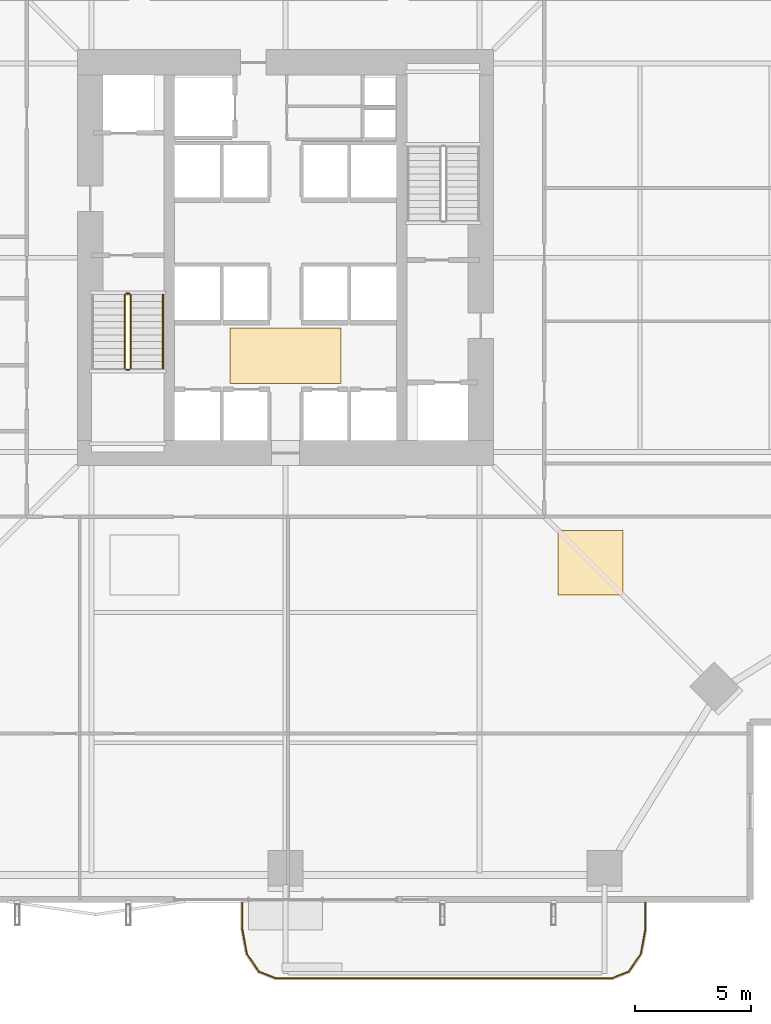
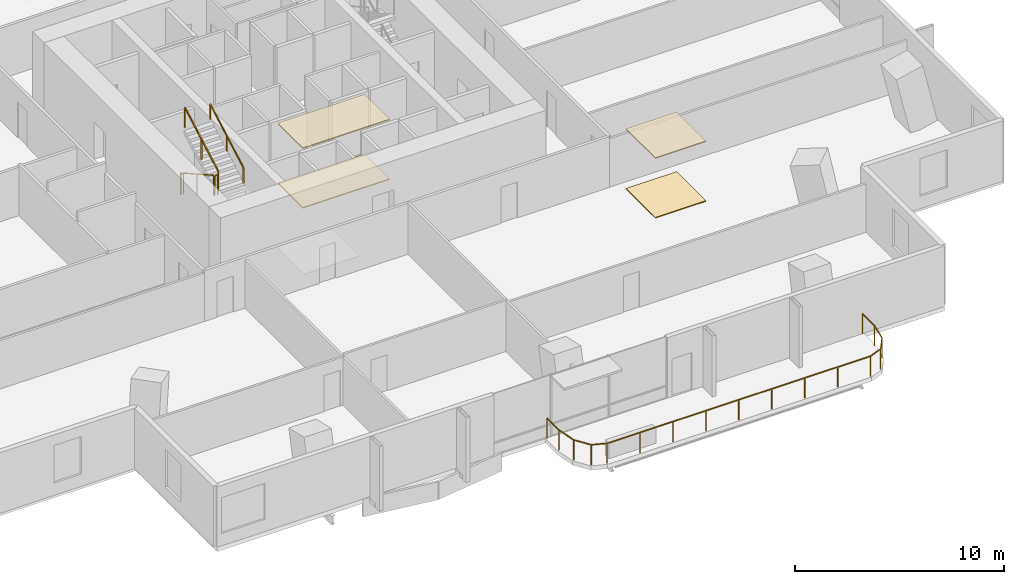
# One storey, part 22 of 24: 6 railings, 4 coverings.
"""IFC4 building model written with IfcOpenShell, lengths in metres."""

from ifc_helpers import new_model, si_unit, direction, frame, origin, origin_2d, place, context, subcontext, project, spatial, polyline, rectangle, outline, extrude, material, layer, layer_set, type_object, element, save


model = new_model("IFC4")

# Units and contexts
model_context = context("Model", 3, precision=1e-05, world=origin(), true_north=direction((0.0, 1.0)))
body_context = subcontext(model_context, "Body", "Model", "MODEL_VIEW")
ifc_project = project(units=[si_unit("LENGTHUNIT", "METRE"), si_unit("AREAUNIT", "SQUARE_METRE"), si_unit("VOLUMEUNIT", "CUBIC_METRE"), si_unit("PLANEANGLEUNIT", "RADIAN"), si_unit("MASSUNIT", "GRAM", prefix="KILO")], contexts=[model_context])

# Site, building, storey
site_placement = place(None, origin())
site = spatial("IfcSite", under=ifc_project, at=site_placement, CompositionType="ELEMENT")
building_placement = place(site_placement, origin())
building = spatial("IfcBuilding", under=site, at=building_placement, Name="Belovzor Exchange Tower", CompositionType="ELEMENT")
storey_placement = place(building_placement, frame((0.0, 0.0, 104.10009765625)))
storey = spatial("IfcBuildingStorey", under=building, at=storey_placement, Name="L25", CompositionType="ELEMENT", Elevation=104.10009765625)

# Railings
ifc_material_1 = material(Name="Stainless Steel Grade 304", Category="steel")
railing_type_1 = type_object("IfcRailingType", Name="Brushed Stainless Steel Stair Handrail 900", PredefinedType="HANDRAIL", material=ifc_material_1)
railing_1_placement = place(storey_placement, frame((23.5, 24.010009765625, 2.1123046875)))
element("IfcRailing", 1, at=railing_1_placement, inside=storey, type_object=railing_type_1, Name="L25 ST-1 stair handrail 2", PredefinedType="HANDRAIL", context=body_context, shape_type="SweptSolid", body=[
    extrude(rectangle(XDim=0.048095703125, YDim=0.048095703125, at=origin_2d()), frame((0.0, 0.0, 0.8759765625), z_axis=(0.0, 0.8723625253, 0.488859514025), x_axis=(-1.0, 0.0, 0.0)), (0.0, 0.0, 1.0), 3.65673828125),
    extrude(rectangle(XDim=0.0419921875, YDim=0.0419921875, at=origin_2d()), origin(), (0.0, 0.0, 1.0), 0.851806640625),
    extrude(rectangle(XDim=0.0419921875, YDim=0.0419921875, at=origin_2d()), frame((0.0, 1.594970703125, 0.893798828125)), (0.0, 0.0, 1.0), 0.851806640625),
    extrude(rectangle(XDim=0.0419921875, YDim=0.0419921875, at=origin_2d()), frame((0.0, 3.18994140625, 1.78759765625)), (0.0, 0.0, 1.0), 0.851806640625),
])
ifc_material_2 = material(Name="Stainless Steel and Laminated Safety Glass", Category="steel")
railing_type_2 = type_object("IfcRailingType", Name="Laminated Glass & Stainless Steel Balcony Balustrade 1200", PredefinedType="BALUSTRADE", material=ifc_material_2)
railing_2_placement = place(storey_placement, frame((26.929931640625, 0.889892578125, 0.0)))
element("IfcRailing", 2, at=railing_2_placement, inside=storey, type_object=railing_type_2, Name="GR-1 Balcony Balustrade L25 South", PredefinedType="BALUSTRADE", context=body_context, shape_type="SweptSolid", body=[
    extrude(rectangle(XDim=0.048095703125, YDim=0.048095703125, at=origin_2d()), frame((0.0, 0.0, 1.17578125), z_axis=(0.0, -1.0, 0.0), x_axis=(1.0, 0.0, 0.0)), (0.0, 0.0, 1.0), 1.1328125),
    extrude(rectangle(XDim=0.048095703125, YDim=0.048095703125, at=origin_2d()), frame((0.0, -1.1328125, 1.17578125), z_axis=(0.180083182347, -0.983651385113, 0.0), x_axis=(0.983651385113, 0.180083182347, 0.0)), (0.0, 0.0, 1.0), 1.093994140625),
    extrude(rectangle(XDim=0.048095703125, YDim=0.048095703125, at=origin_2d()), frame((0.197021484375, -2.208984375, 1.17578125), z_axis=(0.56294695933, -0.826493025367, 0.0), x_axis=(0.826493025367, 0.56294695933, 0.0)), (0.0, 0.0, 1.0), 0.932861328125),
    extrude(rectangle(XDim=0.048095703125, YDim=0.048095703125, at=origin_2d()), frame((0.72216796875, -2.97998046875, 1.17578125), z_axis=(0.930766990125, -0.365612923861, 0.0), x_axis=(0.365612923861, 0.930766990125, 0.0)), (0.0, 0.0, 1.0), 0.765869140625),
    extrude(rectangle(XDim=0.048095703125, YDim=0.048095703125, at=origin_2d()), frame((1.43505859375, -3.260009765625, 1.17578125), z_axis=(1.0, 0.0, 0.0), x_axis=(0.0, 1.0, 0.0)), (0.0, 0.0, 1.0), 14.570068359375),
    extrude(rectangle(XDim=0.048095703125, YDim=0.048095703125, at=origin_2d()), frame((16.005126953125, -3.260009765625, 1.17578125), z_axis=(0.930766990125, 0.365612923861, 0.0), x_axis=(-0.365612923861, 0.930766990125, 0.0)), (0.0, 0.0, 1.0), 0.765869140625),
    extrude(rectangle(XDim=0.048095703125, YDim=0.048095703125, at=origin_2d()), frame((16.718017578125, -2.97998046875, 1.17578125), z_axis=(0.56294695933, 0.826493025367, 0.0), x_axis=(-0.826493025367, 0.56294695933, 0.0)), (0.0, 0.0, 1.0), 0.932861328125),
    extrude(rectangle(XDim=0.048095703125, YDim=0.048095703125, at=origin_2d()), frame((17.2431640625, -2.208984375, 1.17578125), z_axis=(0.180083182347, 0.983651385113, 0.0), x_axis=(-0.983651385113, 0.180083182347, 0.0)), (0.0, 0.0, 1.0), 1.093994140625),
    extrude(rectangle(XDim=0.048095703125, YDim=0.048095703125, at=origin_2d()), frame((17.440185546875, -1.1328125, 1.17578125), z_axis=(0.0, 1.0, 0.0), x_axis=(-1.0, 0.0, 0.0)), (0.0, 0.0, 1.0), 1.1328125),
    extrude(rectangle(XDim=0.0419921875, YDim=0.0419921875, at=origin_2d()), origin(), (0.0, 0.0, 1.0), 1.15185546875),
    extrude(rectangle(XDim=0.0419921875, YDim=0.0419921875, at=origin_2d()), frame((0.0, -1.1328125, 0.0)), (0.0, 0.0, 1.0), 1.15185546875),
    extrude(rectangle(XDim=0.0419921875, YDim=0.0419921875, at=origin_2d()), frame((0.197021484375, -2.208984375, 0.0)), (0.0, 0.0, 1.0), 1.15185546875),
    extrude(rectangle(XDim=0.0419921875, YDim=0.0419921875, at=origin_2d()), frame((0.72216796875, -2.97998046875, 0.0)), (0.0, 0.0, 1.0), 1.15185546875),
    extrude(rectangle(XDim=0.0419921875, YDim=0.0419921875, at=origin_2d()), frame((1.43505859375, -3.260009765625, 0.0)), (0.0, 0.0, 1.0), 1.15185546875),
    extrude(rectangle(XDim=0.0419921875, YDim=0.0419921875, at=origin_2d()), frame((3.25634765625, -3.260009765625, 0.0)), (0.0, 0.0, 1.0), 1.15185546875),
    extrude(rectangle(XDim=0.0419921875, YDim=0.0419921875, at=origin_2d()), frame((5.07763671875, -3.260009765625, 0.0)), (0.0, 0.0, 1.0), 1.15185546875),
    extrude(rectangle(XDim=0.0419921875, YDim=0.0419921875, at=origin_2d()), frame((6.89892578125, -3.260009765625, 0.0)), (0.0, 0.0, 1.0), 1.15185546875),
    extrude(rectangle(XDim=0.0419921875, YDim=0.0419921875, at=origin_2d()), frame((8.72021484375, -3.260009765625, 0.0)), (0.0, 0.0, 1.0), 1.15185546875),
    extrude(rectangle(XDim=0.0419921875, YDim=0.0419921875, at=origin_2d()), frame((10.541259765625, -3.260009765625, 0.0)), (0.0, 0.0, 1.0), 1.15185546875),
    extrude(rectangle(XDim=0.0419921875, YDim=0.0419921875, at=origin_2d()), frame((12.362548828125, -3.260009765625, 0.0)), (0.0, 0.0, 1.0), 1.15185546875),
    extrude(rectangle(XDim=0.0419921875, YDim=0.0419921875, at=origin_2d()), frame((14.183837890625, -3.260009765625, 0.0)), (0.0, 0.0, 1.0), 1.15185546875),
    extrude(rectangle(XDim=0.0419921875, YDim=0.0419921875, at=origin_2d()), frame((16.005126953125, -3.260009765625, 0.0)), (0.0, 0.0, 1.0), 1.15185546875),
    extrude(rectangle(XDim=0.0419921875, YDim=0.0419921875, at=origin_2d()), frame((16.718017578125, -2.97998046875, 0.0)), (0.0, 0.0, 1.0), 1.15185546875),
    extrude(rectangle(XDim=0.0419921875, YDim=0.0419921875, at=origin_2d()), frame((17.2431640625, -2.208984375, 0.0)), (0.0, 0.0, 1.0), 1.15185546875),
    extrude(rectangle(XDim=0.0419921875, YDim=0.0419921875, at=origin_2d()), frame((17.440185546875, -1.1328125, 0.0)), (0.0, 0.0, 1.0), 1.15185546875),
    extrude(rectangle(XDim=0.0419921875, YDim=0.0419921875, at=origin_2d()), frame((17.440185546875, 0.0, 0.0)), (0.0, 0.0, 1.0), 1.15185546875),
])
ifc_material_3 = material(Name="Steel S355", Category="steel")
railing_type_3 = type_object("IfcRailingType", Name="Painted Steel Stairwell Guardrail 1200", PredefinedType="GUARDRAIL", material=ifc_material_3)
railing_3_placement = place(storey_placement, frame((21.85009765625, 27.199951171875, 0.162353515625)))
element("IfcRailing", 3, at=railing_3_placement, inside=storey, type_object=railing_type_3, Name="L25 ST-1 stair guard 1", PredefinedType="GUARDRAIL", context=body_context, shape_type="SweptSolid", body=[
    extrude(rectangle(XDim=0.048095703125, YDim=0.048095703125, at=origin_2d()), frame((0.0, 0.0, 1.17578125), z_axis=(0.0, -0.8723625253, 0.488859514025), x_axis=(1.0, 0.0, 0.0)), (0.0, 0.0, 1.0), 3.65673828125),
    extrude(rectangle(XDim=0.0419921875, YDim=0.0419921875, at=origin_2d()), origin(), (0.0, 0.0, 1.0), 1.15185546875),
    extrude(rectangle(XDim=0.0419921875, YDim=0.0419921875, at=origin_2d()), frame((0.0, -1.594970703125, 0.893798828125)), (0.0, 0.0, 1.0), 1.15185546875),
    extrude(rectangle(XDim=0.0419921875, YDim=0.0419921875, at=origin_2d()), frame((0.0, -3.18994140625, 1.78759765625)), (0.0, 0.0, 1.0), 1.15185546875),
])
railing_4_placement = place(storey_placement, frame((21.89990234375, 23.9599609375, 1.949951171875)))
element("IfcRailing", 4, at=railing_4_placement, inside=storey, type_object=railing_type_3, Name="L25 ST-1 stair guard 2", PredefinedType="GUARDRAIL", context=body_context, shape_type="SweptSolid", body=[
    extrude(rectangle(XDim=0.048095703125, YDim=0.048095703125, at=origin_2d()), frame((0.0, 0.0, 1.17578125), z_axis=(1.0, 0.0, 0.0), x_axis=(0.0, 1.0, 0.0)), (0.0, 0.0, 1.0), 0.150146484375),
    extrude(rectangle(XDim=0.0419921875, YDim=0.0419921875, at=origin_2d()), origin(), (0.0, 0.0, 1.0), 1.15185546875),
    extrude(rectangle(XDim=0.0419921875, YDim=0.0419921875, at=origin_2d()), frame((0.150146484375, 0.0, 0.0)), (0.0, 0.0, 1.0), 1.15185546875),
])
railing_5_placement = place(storey_placement, frame((22.10009765625, 24.010009765625, 2.1123046875)))
element("IfcRailing", 5, at=railing_5_placement, inside=storey, type_object=railing_type_3, Name="L25 ST-1 stair guard 3", PredefinedType="GUARDRAIL", context=body_context, shape_type="SweptSolid", body=[
    extrude(rectangle(XDim=0.048095703125, YDim=0.048095703125, at=origin_2d()), frame((0.0, 0.0, 1.17578125), z_axis=(0.0, 0.8723625253, 0.488859514025), x_axis=(-1.0, 0.0, 0.0)), (0.0, 0.0, 1.0), 3.65673828125),
    extrude(rectangle(XDim=0.0419921875, YDim=0.0419921875, at=origin_2d()), origin(), (0.0, 0.0, 1.0), 1.15185546875),
    extrude(rectangle(XDim=0.0419921875, YDim=0.0419921875, at=origin_2d()), frame((0.0, 1.594970703125, 0.893798828125)), (0.0, 0.0, 1.0), 1.15185546875),
    extrude(rectangle(XDim=0.0419921875, YDim=0.0419921875, at=origin_2d()), frame((0.0, 3.18994140625, 1.78759765625)), (0.0, 0.0, 1.0), 1.15185546875),
])
railing_6_placement = place(storey_placement, frame((21.89990234375, 27.25, 0.0)))
element("IfcRailing", 6, at=railing_6_placement, inside=storey, type_object=railing_type_3, Name="L25 ST-1 stair guard 4", PredefinedType="GUARDRAIL", context=body_context, shape_type="SweptSolid", body=[
    extrude(rectangle(XDim=0.048095703125, YDim=0.048095703125, at=origin_2d()), frame((0.0, 0.0, 1.17578125), z_axis=(1.0, 0.0, 0.0), x_axis=(0.0, 1.0, 0.0)), (0.0, 0.0, 1.0), 0.150146484375),
    extrude(rectangle(XDim=0.0419921875, YDim=0.0419921875, at=origin_2d()), origin(), (0.0, 0.0, 1.0), 1.15185546875),
    extrude(rectangle(XDim=0.0419921875, YDim=0.0419921875, at=origin_2d()), frame((0.150146484375, 0.0, 0.0)), (0.0, 0.0, 1.0), 1.15185546875),
])

# Coverings
ifc_material_4 = material(Name="Perforated Powder-Coated Aluminium", Category="aluminium")
ifc_layer_1 = layer(ifc_material_4, 0.06005859375)
ifc_layer_set_1 = layer_set([ifc_layer_1], Name="Perforated Powder-Coated Aluminium")
covering_type_1 = type_object("IfcCoveringType", Name="Perforated Acoustic Metal Tile Suspended Ceiling 60", PredefinedType="CEILING", material=ifc_layer_set_1)
covering_1_placement = place(storey_placement, frame((0.0, 0.0, 3.47998046875)))
element("IfcCovering", 7, at=covering_1_placement, inside=storey, type_object=covering_type_1, Name="CLG-AC60 Suspended Ceiling CLG-L25-LOB", PredefinedType="CEILING", context=body_context, shape_type="SweptSolid", body=[
    extrude(outline(polyline([(26.39990234375, 23.35009765625), (31.199951171875, 23.35009765625), (31.199951171875, 25.75), (26.39990234375, 25.75), (26.39990234375, 23.35009765625)])), origin(), (0.0, 0.0, 1.0), 0.059814453125),
])
covering_2_placement = place(storey_placement, frame((0.0, 0.0, 3.47998046875)))
element("IfcCovering", 8, at=covering_2_placement, inside=storey, type_object=covering_type_1, Name="CLG-AC60 Suspended Ceiling CLG-L25-Z1", PredefinedType="CEILING", context=body_context, shape_type="SweptSolid", body=[
    extrude(outline(polyline([(40.60009765625, 14.199951171875), (43.39990234375, 14.199951171875), (43.39990234375, 17.0), (40.60009765625, 17.0), (40.60009765625, 14.199951171875)])), origin(), (0.0, 0.0, 1.0), 0.059814453125),
])
ifc_material_5 = material(Name="Polished Natural Granite Tile", Category="masonry")
ifc_layer_2 = layer(ifc_material_5, 0.050048828125)
ifc_layer_set_2 = layer_set([ifc_layer_2], Name="Polished Natural Granite Tile")
covering_type_2 = type_object("IfcCoveringType", Name="Polished Karelian Granite & Raised Access Floor Finish 50", PredefinedType="FLOORING", material=ifc_layer_set_2)
covering_3_placement = place(storey_placement, origin())
element("IfcCovering", 9, at=covering_3_placement, inside=storey, type_object=covering_type_2, Name="FLR-GR50 Floor Finish FLR-L25-LOB", PredefinedType="FLOORING", context=body_context, shape_type="SweptSolid", body=[
    extrude(outline(polyline([(26.39990234375, 23.35009765625), (31.199951171875, 23.35009765625), (31.199951171875, 25.75), (26.39990234375, 25.75), (26.39990234375, 23.35009765625)])), origin(), (0.0, 0.0, 1.0), 0.0498046875),
])
covering_4_placement = place(storey_placement, origin())
element("IfcCovering", 10, at=covering_4_placement, inside=storey, type_object=covering_type_2, Name="FLR-GR50 Floor Finish FLR-L25-Z1", PredefinedType="FLOORING", context=body_context, shape_type="SweptSolid", body=[
    extrude(outline(polyline([(40.60009765625, 14.199951171875), (43.39990234375, 14.199951171875), (43.39990234375, 17.0), (40.60009765625, 17.0), (40.60009765625, 14.199951171875)])), origin(), (0.0, 0.0, 1.0), 0.0498046875),
])

save(model, "model.ifc")
